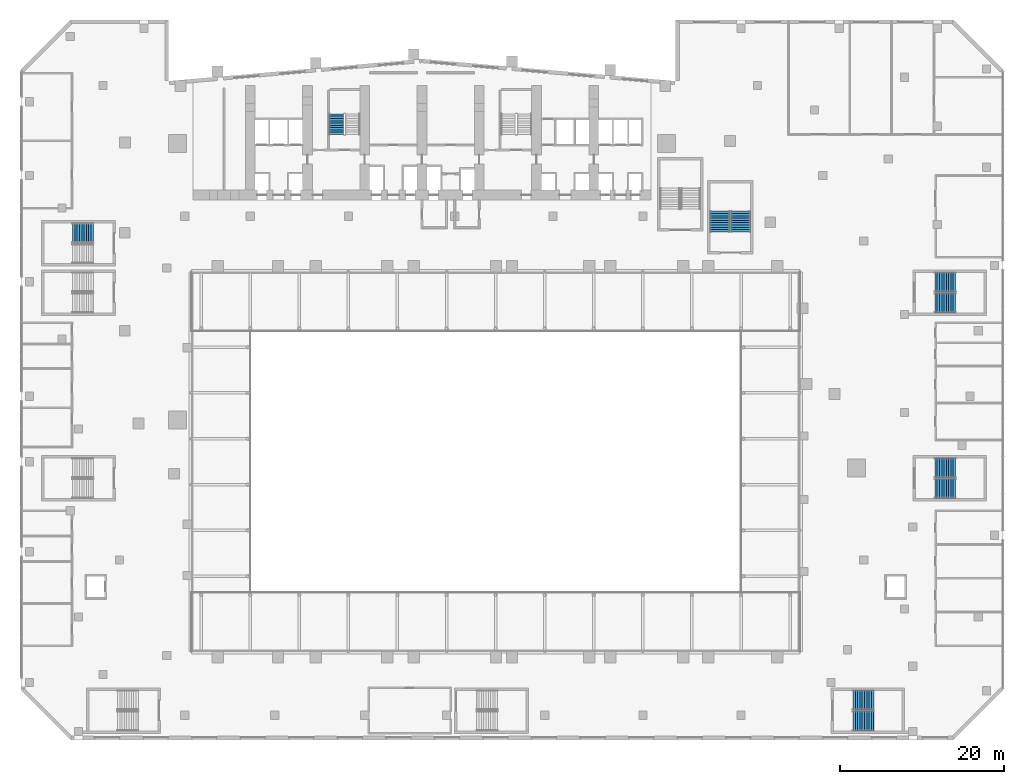
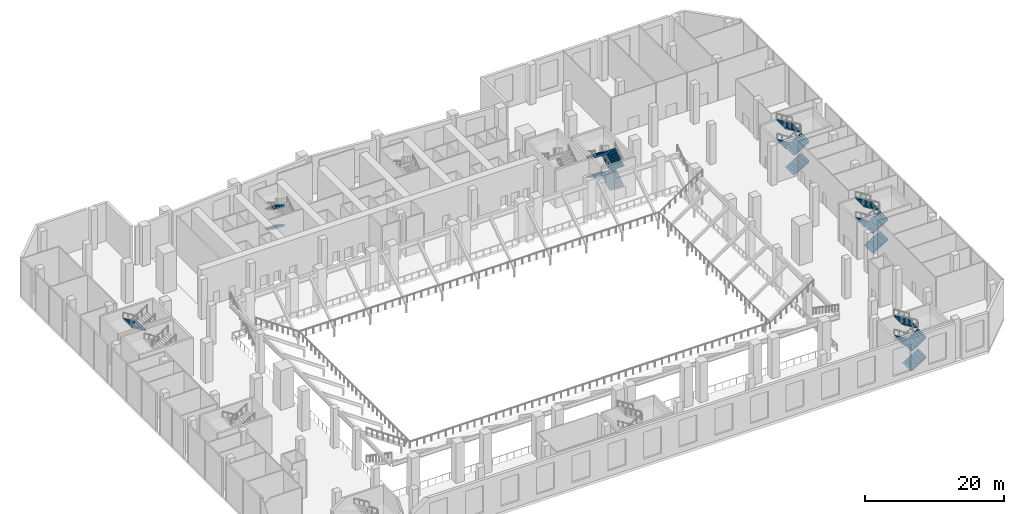
# One storey, part 29 of 41: 19 stair flights, 6 elements without a shape of their own.
"""IFC4 building model written with IfcOpenShell, lengths in metres."""

from ifc_helpers import new_model, si_unit, direction, frame, origin, place, context, subcontext, project, spatial, polyline, outline, extrude, material, type_object, element, aggregate, save


model = new_model("IFC4")

# Units and contexts
model_context = context("Model", 3, precision=1e-05, world=origin(), true_north=direction((0.0, 1.0)))
body_context = subcontext(model_context, "Body", "Model", "MODEL_VIEW")
ifc_project = project(units=[si_unit("LENGTHUNIT", "METRE"), si_unit("AREAUNIT", "SQUARE_METRE"), si_unit("VOLUMEUNIT", "CUBIC_METRE"), si_unit("PLANEANGLEUNIT", "RADIAN"), si_unit("MASSUNIT", "GRAM", prefix="KILO")], contexts=[model_context])

# Site, building, storey
site_placement = place(None, origin())
site = spatial("IfcSite", under=ifc_project, at=site_placement, CompositionType="ELEMENT")
building_placement = place(site_placement, origin())
building = spatial("IfcBuilding", under=site, at=building_placement, Name="Wharfspan Tower", CompositionType="ELEMENT")
storey_placement = place(building_placement, frame((0.0, 0.0, 8.0)))
storey = spatial("IfcBuildingStorey", under=building, at=storey_placement, Name="L01", CompositionType="ELEMENT", Elevation=8.0)

# Stair, stair flights
ifc_material = material(Name="Concrete C40/50", Category="concrete")
stair_type_1 = type_object("IfcStairType", Name="Half-turn stair 2400 wide 40 risers 175 mm", PredefinedType="HALF_TURN_STAIR", material=ifc_material)
stair_1_placement = place(storey_placement, origin())
stair_1 = element("IfcStair", 1, at=stair_1_placement, inside=storey, type_object=stair_type_1, Name="L01 stair AS2", PredefinedType="HALF_TURN_STAIR")
stair_flight_type_1 = type_object("IfcStairFlightType", Name="Stair flight 2400 wide 40 risers 175 mm", PredefinedType="STRAIGHT", material=ifc_material)
stair_flight_1_placement = place(storey_placement, frame((89.699951, -29.699951, 0.0), z_axis=(0.0, 0.0, 1.0), x_axis=(1.0, 0.0, 0.0)))
stair_flight_1 = element("IfcStairFlight", 2, at=stair_flight_1_placement, type_object=stair_flight_type_1, Name="AS2 flight 1", NumberOfRisers=10, NumberOfTreads=9, PredefinedType="STRAIGHT", RiserHeight=0.175, TreadLength=0.28, context=body_context, shape_type="SweptSolid", body=[
    extrude(outline(polyline([(-0.011963, 0.0), (-0.011963, 0.175049), (0.0, 0.175049), (0.280029, 0.175049), (0.280029, 0.350098), (0.560059, 0.350098), (0.560059, 0.524902), (0.840088, 0.524902), (0.840088, 0.699951), (1.120117, 0.699951), (1.120117, 0.875), (1.399902, 0.875), (1.399902, 1.050049), (1.679932, 1.050049), (1.679932, 1.225098), (1.959961, 1.225098), (1.959961, 1.399902), (2.23999, 1.399902), (2.23999, 1.574951), (2.52002, 1.574951), (2.531982, 1.75), (2.531982, 1.398193), (0.282715, 0.0), (-0.011963, 0.0)])), frame((0.0, 1.199951, 0.0), z_axis=(0.0, -1.0, 0.0), x_axis=(1.0, 0.0, 0.0)), (0.0, 0.0, 1.0), 1.199463),
    extrude(outline(polyline([(-0.011963, 0.0), (-0.011963, 0.175049), (0.0, 0.175049), (0.280029, 0.175049), (0.280029, 0.350098), (0.560059, 0.350098), (0.560059, 0.524902), (0.840088, 0.524902), (0.840088, 0.699951), (1.120117, 0.699951), (1.120117, 0.875), (1.399902, 0.875), (1.399902, 1.050049), (1.679932, 1.050049), (1.679932, 1.225098), (1.959961, 1.225098), (1.959961, 1.399902), (2.23999, 1.399902), (2.23999, 1.574951), (2.52002, 1.574951), (2.531982, 1.75), (2.531982, 1.398193), (0.282715, 0.0), (-0.011963, 0.0)])), frame((0.0, -0.000488, 0.0), z_axis=(0.0, -1.0, 0.0), x_axis=(1.0, 0.0, 0.0)), (0.0, 0.0, 1.0), 1.199463),
])
stair_flight_2_placement = place(storey_placement, frame((92.219971, -27.149902, 1.75), z_axis=(0.0, 0.0, 1.0), x_axis=(-1.0, 0.0, 0.0)))
stair_flight_2 = element("IfcStairFlight", 3, at=stair_flight_2_placement, type_object=stair_flight_type_1, Name="AS2 flight 2", NumberOfRisers=10, NumberOfTreads=9, PredefinedType="STRAIGHT", RiserHeight=0.175, TreadLength=0.28, context=body_context, shape_type="SweptSolid", body=[
    extrude(outline(polyline([(-0.011963, 0.0), (-0.011963, 0.175049), (0.0, 0.175049), (0.280029, 0.175049), (0.280029, 0.350098), (0.560059, 0.350098), (0.560059, 0.524902), (0.840088, 0.524902), (0.840088, 0.699951), (1.120117, 0.699951), (1.120117, 0.875), (1.399902, 0.875), (1.399902, 1.050049), (1.679932, 1.050049), (1.679932, 1.225098), (1.959961, 1.225098), (1.959961, 1.399902), (2.23999, 1.399902), (2.23999, 1.574951), (2.52002, 1.574951), (2.531982, 1.75), (2.531982, 1.398193), (0.282715, 0.0), (-0.011963, 0.0)])), frame((0.0, 1.199951, 0.0), z_axis=(0.0, -1.0, 0.0), x_axis=(1.0, 0.0, 0.0)), (0.0, 0.0, 1.0), 1.199463),
    extrude(outline(polyline([(-0.011963, 0.0), (-0.011963, 0.175049), (0.0, 0.175049), (0.280029, 0.175049), (0.280029, 0.350098), (0.560059, 0.350098), (0.560059, 0.524902), (0.840088, 0.524902), (0.840088, 0.699951), (1.120117, 0.699951), (1.120117, 0.875), (1.399902, 0.875), (1.399902, 1.050049), (1.679932, 1.050049), (1.679932, 1.225098), (1.959961, 1.225098), (1.959961, 1.399902), (2.23999, 1.399902), (2.23999, 1.574951), (2.52002, 1.574951), (2.531982, 1.75), (2.531982, 1.398193), (0.282715, 0.0), (-0.011963, 0.0)])), frame((0.0, -0.000488, 0.0), z_axis=(0.0, -1.0, 0.0), x_axis=(1.0, 0.0, 0.0)), (0.0, 0.0, 1.0), 1.199463),
])
stair_flight_3_placement = place(storey_placement, frame((89.699951, -29.699951, 3.5), z_axis=(0.0, 0.0, 1.0), x_axis=(1.0, 0.0, 0.0)))
stair_flight_3 = element("IfcStairFlight", 4, at=stair_flight_3_placement, type_object=stair_flight_type_1, Name="AS2 flight 3", NumberOfRisers=10, NumberOfTreads=9, PredefinedType="STRAIGHT", RiserHeight=0.175, TreadLength=0.28, context=body_context, shape_type="SweptSolid", body=[
    extrude(outline(polyline([(-0.011963, 0.0), (-0.011963, 0.175049), (0.0, 0.175049), (0.280029, 0.175049), (0.280029, 0.350098), (0.560059, 0.350098), (0.560059, 0.524902), (0.840088, 0.524902), (0.840088, 0.699951), (1.120117, 0.699951), (1.120117, 0.875), (1.399902, 0.875), (1.399902, 1.050049), (1.679932, 1.050049), (1.679932, 1.225098), (1.959961, 1.225098), (1.959961, 1.399902), (2.23999, 1.399902), (2.23999, 1.574951), (2.52002, 1.574951), (2.531982, 1.75), (2.531982, 1.398193), (0.282715, 0.0), (-0.011963, 0.0)])), frame((0.0, 1.199951, 0.0), z_axis=(0.0, -1.0, 0.0), x_axis=(1.0, 0.0, 0.0)), (0.0, 0.0, 1.0), 1.199463),
    extrude(outline(polyline([(-0.011963, 0.0), (-0.011963, 0.175049), (0.0, 0.175049), (0.280029, 0.175049), (0.280029, 0.350098), (0.560059, 0.350098), (0.560059, 0.524902), (0.840088, 0.524902), (0.840088, 0.699951), (1.120117, 0.699951), (1.120117, 0.875), (1.399902, 0.875), (1.399902, 1.050049), (1.679932, 1.050049), (1.679932, 1.225098), (1.959961, 1.225098), (1.959961, 1.399902), (2.23999, 1.399902), (2.23999, 1.574951), (2.52002, 1.574951), (2.531982, 1.75), (2.531982, 1.398193), (0.282715, 0.0), (-0.011963, 0.0)])), frame((0.0, -0.000488, 0.0), z_axis=(0.0, -1.0, 0.0), x_axis=(1.0, 0.0, 0.0)), (0.0, 0.0, 1.0), 1.199463),
])
stair_flight_4_placement = place(storey_placement, frame((92.219971, -27.149902, 5.25), z_axis=(0.0, 0.0, 1.0), x_axis=(-1.0, 0.0, 0.0)))
stair_flight_4 = element("IfcStairFlight", 5, at=stair_flight_4_placement, type_object=stair_flight_type_1, Name="AS2 flight 4", NumberOfRisers=10, NumberOfTreads=9, PredefinedType="STRAIGHT", RiserHeight=0.175, TreadLength=0.28, context=body_context, shape_type="SweptSolid", body=[
    extrude(outline(polyline([(-0.011963, 0.0), (-0.011963, 0.175049), (0.0, 0.175049), (0.280029, 0.175049), (0.280029, 0.350098), (0.560059, 0.350098), (0.560059, 0.524902), (0.840088, 0.524902), (0.840088, 0.699951), (1.120117, 0.699951), (1.120117, 0.875), (1.399902, 0.875), (1.399902, 1.050049), (1.679932, 1.050049), (1.679932, 1.225098), (1.959961, 1.225098), (1.959961, 1.399902), (2.23999, 1.399902), (2.23999, 1.574951), (2.52002, 1.574951), (2.531982, 1.75), (2.531982, 1.398193), (0.282715, 0.0), (-0.011963, 0.0)])), frame((0.0, 1.199951, 0.0), z_axis=(0.0, -1.0, 0.0), x_axis=(1.0, 0.0, 0.0)), (0.0, 0.0, 1.0), 1.199463),
    extrude(outline(polyline([(-0.011963, 0.0), (-0.011963, 0.175049), (0.0, 0.175049), (0.280029, 0.175049), (0.280029, 0.350098), (0.560059, 0.350098), (0.560059, 0.524902), (0.840088, 0.524902), (0.840088, 0.699951), (1.120117, 0.699951), (1.120117, 0.875), (1.399902, 0.875), (1.399902, 1.050049), (1.679932, 1.050049), (1.679932, 1.225098), (1.959961, 1.225098), (1.959961, 1.399902), (2.23999, 1.399902), (2.23999, 1.574951), (2.52002, 1.574951), (2.531982, 1.75), (2.531982, 1.398193), (0.282715, 0.0), (-0.011963, 0.0)])), frame((0.0, -0.000488, 0.0), z_axis=(0.0, -1.0, 0.0), x_axis=(1.0, 0.0, 0.0)), (0.0, 0.0, 1.0), 1.199463),
])
aggregate(stair_1, [stair_flight_1, stair_flight_2, stair_flight_3, stair_flight_4])

stair_2_placement = place(storey_placement, origin())
stair_2 = element("IfcStair", 6, at=stair_2_placement, inside=storey, type_object=stair_type_1, Name="L01 stair AS8", PredefinedType="HALF_TURN_STAIR")
stair_flight_5_placement = place(storey_placement, frame((99.699951, -1.300049, 0.0), z_axis=(0.0, 0.0, 1.0), x_axis=(1.0, 0.0, 0.0)))
stair_flight_5 = element("IfcStairFlight", 7, at=stair_flight_5_placement, type_object=stair_flight_type_1, Name="AS8 flight 1", NumberOfRisers=10, NumberOfTreads=9, PredefinedType="STRAIGHT", RiserHeight=0.175, TreadLength=0.28, context=body_context, shape_type="SweptSolid", body=[
    extrude(outline(polyline([(-0.011963, 0.0), (-0.011963, 0.175049), (0.0, 0.175049), (0.280029, 0.175049), (0.280029, 0.350098), (0.560059, 0.350098), (0.560059, 0.524902), (0.840088, 0.524902), (0.840088, 0.699951), (1.120117, 0.699951), (1.120117, 0.875), (1.399902, 0.875), (1.399902, 1.050049), (1.679932, 1.050049), (1.679932, 1.225098), (1.959961, 1.225098), (1.959961, 1.399902), (2.23999, 1.399902), (2.23999, 1.574951), (2.52002, 1.574951), (2.531982, 1.75), (2.531982, 1.398193), (0.282715, 0.0), (-0.011963, 0.0)])), frame((0.0, 1.199951, 0.0), z_axis=(0.0, -1.0, 0.0), x_axis=(1.0, 0.0, 0.0)), (0.0, 0.0, 1.0), 1.199463),
    extrude(outline(polyline([(-0.011963, 0.0), (-0.011963, 0.175049), (0.0, 0.175049), (0.280029, 0.175049), (0.280029, 0.350098), (0.560059, 0.350098), (0.560059, 0.524902), (0.840088, 0.524902), (0.840088, 0.699951), (1.120117, 0.699951), (1.120117, 0.875), (1.399902, 0.875), (1.399902, 1.050049), (1.679932, 1.050049), (1.679932, 1.225098), (1.959961, 1.225098), (1.959961, 1.399902), (2.23999, 1.399902), (2.23999, 1.574951), (2.52002, 1.574951), (2.531982, 1.75), (2.531982, 1.398193), (0.282715, 0.0), (-0.011963, 0.0)])), frame((0.0, -0.000488, 0.0), z_axis=(0.0, -1.0, 0.0), x_axis=(1.0, 0.0, 0.0)), (0.0, 0.0, 1.0), 1.199463),
])
stair_flight_6_placement = place(storey_placement, frame((102.219971, 1.25, 1.75), z_axis=(0.0, 0.0, 1.0), x_axis=(-1.0, 0.0, 0.0)))
stair_flight_6 = element("IfcStairFlight", 8, at=stair_flight_6_placement, type_object=stair_flight_type_1, Name="AS8 flight 2", NumberOfRisers=10, NumberOfTreads=9, PredefinedType="STRAIGHT", RiserHeight=0.175, TreadLength=0.28, context=body_context, shape_type="SweptSolid", body=[
    extrude(outline(polyline([(-0.011963, 0.0), (-0.011963, 0.175049), (0.0, 0.175049), (0.280029, 0.175049), (0.280029, 0.350098), (0.560059, 0.350098), (0.560059, 0.524902), (0.840088, 0.524902), (0.840088, 0.699951), (1.120117, 0.699951), (1.120117, 0.875), (1.399902, 0.875), (1.399902, 1.050049), (1.679932, 1.050049), (1.679932, 1.225098), (1.959961, 1.225098), (1.959961, 1.399902), (2.23999, 1.399902), (2.23999, 1.574951), (2.52002, 1.574951), (2.531982, 1.75), (2.531982, 1.398193), (0.282715, 0.0), (-0.011963, 0.0)])), frame((0.0, 1.199951, 0.0), z_axis=(0.0, -1.0, 0.0), x_axis=(1.0, 0.0, 0.0)), (0.0, 0.0, 1.0), 1.199463),
    extrude(outline(polyline([(-0.011963, 0.0), (-0.011963, 0.175049), (0.0, 0.175049), (0.280029, 0.175049), (0.280029, 0.350098), (0.560059, 0.350098), (0.560059, 0.524902), (0.840088, 0.524902), (0.840088, 0.699951), (1.120117, 0.699951), (1.120117, 0.875), (1.399902, 0.875), (1.399902, 1.050049), (1.679932, 1.050049), (1.679932, 1.225098), (1.959961, 1.225098), (1.959961, 1.399902), (2.23999, 1.399902), (2.23999, 1.574951), (2.52002, 1.574951), (2.531982, 1.75), (2.531982, 1.398193), (0.282715, 0.0), (-0.011963, 0.0)])), frame((0.0, -0.000488, 0.0), z_axis=(0.0, -1.0, 0.0), x_axis=(1.0, 0.0, 0.0)), (0.0, 0.0, 1.0), 1.199463),
])
stair_flight_7_placement = place(storey_placement, frame((99.699951, -1.300049, 3.5), z_axis=(0.0, 0.0, 1.0), x_axis=(1.0, 0.0, 0.0)))
stair_flight_7 = element("IfcStairFlight", 9, at=stair_flight_7_placement, type_object=stair_flight_type_1, Name="AS8 flight 3", NumberOfRisers=10, NumberOfTreads=9, PredefinedType="STRAIGHT", RiserHeight=0.175, TreadLength=0.28, context=body_context, shape_type="SweptSolid", body=[
    extrude(outline(polyline([(-0.011963, 0.0), (-0.011963, 0.175049), (0.0, 0.175049), (0.280029, 0.175049), (0.280029, 0.350098), (0.560059, 0.350098), (0.560059, 0.524902), (0.840088, 0.524902), (0.840088, 0.699951), (1.120117, 0.699951), (1.120117, 0.875), (1.399902, 0.875), (1.399902, 1.050049), (1.679932, 1.050049), (1.679932, 1.225098), (1.959961, 1.225098), (1.959961, 1.399902), (2.23999, 1.399902), (2.23999, 1.574951), (2.52002, 1.574951), (2.531982, 1.75), (2.531982, 1.398193), (0.282715, 0.0), (-0.011963, 0.0)])), frame((0.0, 1.199951, 0.0), z_axis=(0.0, -1.0, 0.0), x_axis=(1.0, 0.0, 0.0)), (0.0, 0.0, 1.0), 1.199463),
    extrude(outline(polyline([(-0.011963, 0.0), (-0.011963, 0.175049), (0.0, 0.175049), (0.280029, 0.175049), (0.280029, 0.350098), (0.560059, 0.350098), (0.560059, 0.524902), (0.840088, 0.524902), (0.840088, 0.699951), (1.120117, 0.699951), (1.120117, 0.875), (1.399902, 0.875), (1.399902, 1.050049), (1.679932, 1.050049), (1.679932, 1.225098), (1.959961, 1.225098), (1.959961, 1.399902), (2.23999, 1.399902), (2.23999, 1.574951), (2.52002, 1.574951), (2.531982, 1.75), (2.531982, 1.398193), (0.282715, 0.0), (-0.011963, 0.0)])), frame((0.0, -0.000488, 0.0), z_axis=(0.0, -1.0, 0.0), x_axis=(1.0, 0.0, 0.0)), (0.0, 0.0, 1.0), 1.199463),
])
stair_flight_8_placement = place(storey_placement, frame((102.219971, 1.25, 5.25), z_axis=(0.0, 0.0, 1.0), x_axis=(-1.0, 0.0, 0.0)))
stair_flight_8 = element("IfcStairFlight", 10, at=stair_flight_8_placement, type_object=stair_flight_type_1, Name="AS8 flight 4", NumberOfRisers=10, NumberOfTreads=9, PredefinedType="STRAIGHT", RiserHeight=0.175, TreadLength=0.28, context=body_context, shape_type="SweptSolid", body=[
    extrude(outline(polyline([(-0.011963, 0.0), (-0.011963, 0.175049), (0.0, 0.175049), (0.280029, 0.175049), (0.280029, 0.350098), (0.560059, 0.350098), (0.560059, 0.524902), (0.840088, 0.524902), (0.840088, 0.699951), (1.120117, 0.699951), (1.120117, 0.875), (1.399902, 0.875), (1.399902, 1.050049), (1.679932, 1.050049), (1.679932, 1.225098), (1.959961, 1.225098), (1.959961, 1.399902), (2.23999, 1.399902), (2.23999, 1.574951), (2.52002, 1.574951), (2.531982, 1.75), (2.531982, 1.398193), (0.282715, 0.0), (-0.011963, 0.0)])), frame((0.0, 1.199951, 0.0), z_axis=(0.0, -1.0, 0.0), x_axis=(1.0, 0.0, 0.0)), (0.0, 0.0, 1.0), 1.199463),
    extrude(outline(polyline([(-0.011963, 0.0), (-0.011963, 0.175049), (0.0, 0.175049), (0.280029, 0.175049), (0.280029, 0.350098), (0.560059, 0.350098), (0.560059, 0.524902), (0.840088, 0.524902), (0.840088, 0.699951), (1.120117, 0.699951), (1.120117, 0.875), (1.399902, 0.875), (1.399902, 1.050049), (1.679932, 1.050049), (1.679932, 1.225098), (1.959961, 1.225098), (1.959961, 1.399902), (2.23999, 1.399902), (2.23999, 1.574951), (2.52002, 1.574951), (2.531982, 1.75), (2.531982, 1.398193), (0.282715, 0.0), (-0.011963, 0.0)])), frame((0.0, -0.000488, 0.0), z_axis=(0.0, -1.0, 0.0), x_axis=(1.0, 0.0, 0.0)), (0.0, 0.0, 1.0), 1.199463),
])
aggregate(stair_2, [stair_flight_5, stair_flight_6, stair_flight_7, stair_flight_8])

stair_3_placement = place(storey_placement, origin())
stair_3 = element("IfcStair", 11, at=stair_3_placement, inside=storey, type_object=stair_type_1, Name="L01 stair AS4", PredefinedType="HALF_TURN_STAIR")
stair_flight_9_placement = place(storey_placement, frame((99.699951, 21.399902, 0.0), z_axis=(0.0, 0.0, 1.0), x_axis=(1.0, 0.0, 0.0)))
stair_flight_9 = element("IfcStairFlight", 12, at=stair_flight_9_placement, type_object=stair_flight_type_1, Name="AS4 flight 1", NumberOfRisers=10, NumberOfTreads=9, PredefinedType="STRAIGHT", RiserHeight=0.175, TreadLength=0.28, context=body_context, shape_type="SweptSolid", body=[
    extrude(outline(polyline([(-0.011963, 0.0), (-0.011963, 0.175049), (0.0, 0.175049), (0.280029, 0.175049), (0.280029, 0.350098), (0.560059, 0.350098), (0.560059, 0.524902), (0.840088, 0.524902), (0.840088, 0.699951), (1.120117, 0.699951), (1.120117, 0.875), (1.399902, 0.875), (1.399902, 1.050049), (1.679932, 1.050049), (1.679932, 1.225098), (1.959961, 1.225098), (1.959961, 1.399902), (2.23999, 1.399902), (2.23999, 1.574951), (2.52002, 1.574951), (2.531982, 1.75), (2.531982, 1.398193), (0.282715, 0.0), (-0.011963, 0.0)])), frame((0.0, 1.199951, 0.0), z_axis=(0.0, -1.0, 0.0), x_axis=(1.0, 0.0, 0.0)), (0.0, 0.0, 1.0), 1.199463),
    extrude(outline(polyline([(-0.011963, 0.0), (-0.011963, 0.175049), (0.0, 0.175049), (0.280029, 0.175049), (0.280029, 0.350098), (0.560059, 0.350098), (0.560059, 0.524902), (0.840088, 0.524902), (0.840088, 0.699951), (1.120117, 0.699951), (1.120117, 0.875), (1.399902, 0.875), (1.399902, 1.050049), (1.679932, 1.050049), (1.679932, 1.225098), (1.959961, 1.225098), (1.959961, 1.399902), (2.23999, 1.399902), (2.23999, 1.574951), (2.52002, 1.574951), (2.531982, 1.75), (2.531982, 1.398193), (0.282715, 0.0), (-0.011963, 0.0)])), frame((0.0, -0.000488, 0.0), z_axis=(0.0, -1.0, 0.0), x_axis=(1.0, 0.0, 0.0)), (0.0, 0.0, 1.0), 1.199463),
])
stair_flight_10_placement = place(storey_placement, frame((102.219971, 23.949951, 1.75), z_axis=(0.0, 0.0, 1.0), x_axis=(-1.0, 0.0, 0.0)))
stair_flight_10 = element("IfcStairFlight", 13, at=stair_flight_10_placement, type_object=stair_flight_type_1, Name="AS4 flight 2", NumberOfRisers=10, NumberOfTreads=9, PredefinedType="STRAIGHT", RiserHeight=0.175, TreadLength=0.28, context=body_context, shape_type="SweptSolid", body=[
    extrude(outline(polyline([(-0.011963, 0.0), (-0.011963, 0.175049), (0.0, 0.175049), (0.280029, 0.175049), (0.280029, 0.350098), (0.560059, 0.350098), (0.560059, 0.524902), (0.840088, 0.524902), (0.840088, 0.699951), (1.120117, 0.699951), (1.120117, 0.875), (1.399902, 0.875), (1.399902, 1.050049), (1.679932, 1.050049), (1.679932, 1.225098), (1.959961, 1.225098), (1.959961, 1.399902), (2.23999, 1.399902), (2.23999, 1.574951), (2.52002, 1.574951), (2.531982, 1.75), (2.531982, 1.398193), (0.282715, 0.0), (-0.011963, 0.0)])), frame((0.0, 1.199951, 0.0), z_axis=(0.0, -1.0, 0.0), x_axis=(1.0, 0.0, 0.0)), (0.0, 0.0, 1.0), 1.199463),
    extrude(outline(polyline([(-0.011963, 0.0), (-0.011963, 0.175049), (0.0, 0.175049), (0.280029, 0.175049), (0.280029, 0.350098), (0.560059, 0.350098), (0.560059, 0.524902), (0.840088, 0.524902), (0.840088, 0.699951), (1.120117, 0.699951), (1.120117, 0.875), (1.399902, 0.875), (1.399902, 1.050049), (1.679932, 1.050049), (1.679932, 1.225098), (1.959961, 1.225098), (1.959961, 1.399902), (2.23999, 1.399902), (2.23999, 1.574951), (2.52002, 1.574951), (2.531982, 1.75), (2.531982, 1.398193), (0.282715, 0.0), (-0.011963, 0.0)])), frame((0.0, -0.000488, 0.0), z_axis=(0.0, -1.0, 0.0), x_axis=(1.0, 0.0, 0.0)), (0.0, 0.0, 1.0), 1.199463),
])
stair_flight_11_placement = place(storey_placement, frame((99.699951, 21.399902, 3.5), z_axis=(0.0, 0.0, 1.0), x_axis=(1.0, 0.0, 0.0)))
stair_flight_11 = element("IfcStairFlight", 14, at=stair_flight_11_placement, type_object=stair_flight_type_1, Name="AS4 flight 3", NumberOfRisers=10, NumberOfTreads=9, PredefinedType="STRAIGHT", RiserHeight=0.175, TreadLength=0.28, context=body_context, shape_type="SweptSolid", body=[
    extrude(outline(polyline([(-0.011963, 0.0), (-0.011963, 0.175049), (0.0, 0.175049), (0.280029, 0.175049), (0.280029, 0.350098), (0.560059, 0.350098), (0.560059, 0.524902), (0.840088, 0.524902), (0.840088, 0.699951), (1.120117, 0.699951), (1.120117, 0.875), (1.399902, 0.875), (1.399902, 1.050049), (1.679932, 1.050049), (1.679932, 1.225098), (1.959961, 1.225098), (1.959961, 1.399902), (2.23999, 1.399902), (2.23999, 1.574951), (2.52002, 1.574951), (2.531982, 1.75), (2.531982, 1.398193), (0.282715, 0.0), (-0.011963, 0.0)])), frame((0.0, 1.199951, 0.0), z_axis=(0.0, -1.0, 0.0), x_axis=(1.0, 0.0, 0.0)), (0.0, 0.0, 1.0), 1.199463),
    extrude(outline(polyline([(-0.011963, 0.0), (-0.011963, 0.175049), (0.0, 0.175049), (0.280029, 0.175049), (0.280029, 0.350098), (0.560059, 0.350098), (0.560059, 0.524902), (0.840088, 0.524902), (0.840088, 0.699951), (1.120117, 0.699951), (1.120117, 0.875), (1.399902, 0.875), (1.399902, 1.050049), (1.679932, 1.050049), (1.679932, 1.225098), (1.959961, 1.225098), (1.959961, 1.399902), (2.23999, 1.399902), (2.23999, 1.574951), (2.52002, 1.574951), (2.531982, 1.75), (2.531982, 1.398193), (0.282715, 0.0), (-0.011963, 0.0)])), frame((0.0, -0.000488, 0.0), z_axis=(0.0, -1.0, 0.0), x_axis=(1.0, 0.0, 0.0)), (0.0, 0.0, 1.0), 1.199463),
])
stair_flight_12_placement = place(storey_placement, frame((102.219971, 23.949951, 5.25), z_axis=(0.0, 0.0, 1.0), x_axis=(-1.0, 0.0, 0.0)))
stair_flight_12 = element("IfcStairFlight", 15, at=stair_flight_12_placement, type_object=stair_flight_type_1, Name="AS4 flight 4", NumberOfRisers=10, NumberOfTreads=9, PredefinedType="STRAIGHT", RiserHeight=0.175, TreadLength=0.28, context=body_context, shape_type="SweptSolid", body=[
    extrude(outline(polyline([(-0.011963, 0.0), (-0.011963, 0.175049), (0.0, 0.175049), (0.280029, 0.175049), (0.280029, 0.350098), (0.560059, 0.350098), (0.560059, 0.524902), (0.840088, 0.524902), (0.840088, 0.699951), (1.120117, 0.699951), (1.120117, 0.875), (1.399902, 0.875), (1.399902, 1.050049), (1.679932, 1.050049), (1.679932, 1.225098), (1.959961, 1.225098), (1.959961, 1.399902), (2.23999, 1.399902), (2.23999, 1.574951), (2.52002, 1.574951), (2.531982, 1.75), (2.531982, 1.398193), (0.282715, 0.0), (-0.011963, 0.0)])), frame((0.0, 1.199951, 0.0), z_axis=(0.0, -1.0, 0.0), x_axis=(1.0, 0.0, 0.0)), (0.0, 0.0, 1.0), 1.199463),
    extrude(outline(polyline([(-0.011963, 0.0), (-0.011963, 0.175049), (0.0, 0.175049), (0.280029, 0.175049), (0.280029, 0.350098), (0.560059, 0.350098), (0.560059, 0.524902), (0.840088, 0.524902), (0.840088, 0.699951), (1.120117, 0.699951), (1.120117, 0.875), (1.399902, 0.875), (1.399902, 1.050049), (1.679932, 1.050049), (1.679932, 1.225098), (1.959961, 1.225098), (1.959961, 1.399902), (2.23999, 1.399902), (2.23999, 1.574951), (2.52002, 1.574951), (2.531982, 1.75), (2.531982, 1.398193), (0.282715, 0.0), (-0.011963, 0.0)])), frame((0.0, -0.000488, 0.0), z_axis=(0.0, -1.0, 0.0), x_axis=(1.0, 0.0, 0.0)), (0.0, 0.0, 1.0), 1.199463),
])
aggregate(stair_3, [stair_flight_9, stair_flight_10, stair_flight_11, stair_flight_12])

# Stair, stair flight
stair_4_placement = place(storey_placement, origin())
stair_4 = element("IfcStair", 16, at=stair_4_placement, inside=storey, type_object=stair_type_1, Name="L01 stair PS3", PredefinedType="HALF_TURN_STAIR")
stair_flight_13_placement = place(storey_placement, frame((-3.199951, 29.975098, 3.5), z_axis=(0.0, 0.0, 1.0), x_axis=(-1.0, 0.0, 0.0)))
stair_flight_13 = element("IfcStairFlight", 17, at=stair_flight_13_placement, type_object=stair_flight_type_1, Name="PS3 flight 3", NumberOfRisers=10, NumberOfTreads=9, PredefinedType="STRAIGHT", RiserHeight=0.175, TreadLength=0.28, context=body_context, shape_type="SweptSolid", body=[
    extrude(outline(polyline([(-0.011963, 0.0), (-0.011963, 0.175049), (0.0, 0.175049), (0.280029, 0.175049), (0.280029, 0.350098), (0.560059, 0.350098), (0.560059, 0.524902), (0.840088, 0.524902), (0.840088, 0.699951), (1.120117, 0.699951), (1.120117, 0.875), (1.399902, 0.875), (1.399902, 1.050049), (1.679932, 1.050049), (1.679932, 1.225098), (1.959961, 1.225098), (1.959961, 1.399902), (2.23999, 1.399902), (2.23999, 1.574951), (2.52002, 1.574951), (2.531982, 1.75), (2.531982, 1.398193), (0.282715, 0.0), (-0.011963, 0.0)])), frame((0.0, 1.199951, 0.0), z_axis=(0.0, -1.0, 0.0), x_axis=(1.0, 0.0, 0.0)), (0.0, 0.0, 1.0), 1.199463),
    extrude(outline(polyline([(-0.011963, 0.0), (-0.011963, 0.175049), (0.0, 0.175049), (0.280029, 0.175049), (0.280029, 0.350098), (0.560059, 0.350098), (0.560059, 0.524902), (0.840088, 0.524902), (0.840088, 0.699951), (1.120117, 0.699951), (1.120117, 0.875), (1.399902, 0.875), (1.399902, 1.050049), (1.679932, 1.050049), (1.679932, 1.225098), (1.959961, 1.225098), (1.959961, 1.399902), (2.23999, 1.399902), (2.23999, 1.574951), (2.52002, 1.574951), (2.531982, 1.75), (2.531982, 1.398193), (0.282715, 0.0), (-0.011963, 0.0)])), frame((0.0, -0.000488, 0.0), z_axis=(0.0, -1.0, 0.0), x_axis=(1.0, 0.0, 0.0)), (0.0, 0.0, 1.0), 1.199463),
])
aggregate(stair_4, [stair_flight_13])

# Stair, stair flights
stair_5_placement = place(storey_placement, origin())
stair_5 = element("IfcStair", 18, at=stair_5_placement, inside=storey, type_object=stair_type_1, Name="L01 stair PS5", PredefinedType="HALF_TURN_STAIR")
stair_flight_14_placement = place(storey_placement, frame((75.967529, 30.100098, 0.0), z_axis=(0.0, 0.0, 1.0), x_axis=(0.0, 1.0, 0.0)))
stair_flight_14 = element("IfcStairFlight", 19, at=stair_flight_14_placement, type_object=stair_flight_type_1, Name="PS5 flight 1", NumberOfRisers=10, NumberOfTreads=9, PredefinedType="STRAIGHT", RiserHeight=0.175, TreadLength=0.28, context=body_context, shape_type="SweptSolid", body=[
    extrude(outline(polyline([(-0.011963, 0.0), (-0.011963, 0.175049), (0.0, 0.175049), (0.280029, 0.175049), (0.280029, 0.350098), (0.560059, 0.350098), (0.560059, 0.524902), (0.840088, 0.524902), (0.840088, 0.699951), (1.120117, 0.699951), (1.120117, 0.875), (1.399902, 0.875), (1.399902, 1.050049), (1.679932, 1.050049), (1.679932, 1.225098), (1.959961, 1.225098), (1.959961, 1.399902), (2.23999, 1.399902), (2.23999, 1.574951), (2.52002, 1.574951), (2.531982, 1.75), (2.531982, 1.398193), (0.282715, 0.0), (-0.011963, 0.0)])), frame((0.0, 1.199951, 0.0), z_axis=(0.0, -1.0, 0.0), x_axis=(1.0, 0.0, 0.0)), (0.0, 0.0, 1.0), 1.199463),
    extrude(outline(polyline([(-0.011963, 0.0), (-0.011963, 0.175049), (0.0, 0.175049), (0.280029, 0.175049), (0.280029, 0.350098), (0.560059, 0.350098), (0.560059, 0.524902), (0.840088, 0.524902), (0.840088, 0.699951), (1.120117, 0.699951), (1.120117, 0.875), (1.399902, 0.875), (1.399902, 1.050049), (1.679932, 1.050049), (1.679932, 1.225098), (1.959961, 1.225098), (1.959961, 1.399902), (2.23999, 1.399902), (2.23999, 1.574951), (2.52002, 1.574951), (2.531982, 1.75), (2.531982, 1.398193), (0.282715, 0.0), (-0.011963, 0.0)])), frame((0.0, -0.000488, 0.0), z_axis=(0.0, -1.0, 0.0), x_axis=(1.0, 0.0, 0.0)), (0.0, 0.0, 1.0), 1.199463),
])
stair_flight_15_placement = place(storey_placement, frame((73.41748, 32.620117, 1.75), z_axis=(0.0, 0.0, 1.0), x_axis=(0.0, -1.0, 0.0)))
stair_flight_15 = element("IfcStairFlight", 20, at=stair_flight_15_placement, type_object=stair_flight_type_1, Name="PS5 flight 2", NumberOfRisers=10, NumberOfTreads=9, PredefinedType="STRAIGHT", RiserHeight=0.175, TreadLength=0.28, context=body_context, shape_type="SweptSolid", body=[
    extrude(outline(polyline([(-0.011963, 0.0), (-0.011963, 0.175049), (0.0, 0.175049), (0.280029, 0.175049), (0.280029, 0.350098), (0.560059, 0.350098), (0.560059, 0.524902), (0.840088, 0.524902), (0.840088, 0.699951), (1.120117, 0.699951), (1.120117, 0.875), (1.399902, 0.875), (1.399902, 1.050049), (1.679932, 1.050049), (1.679932, 1.225098), (1.959961, 1.225098), (1.959961, 1.399902), (2.23999, 1.399902), (2.23999, 1.574951), (2.52002, 1.574951), (2.531982, 1.75), (2.531982, 1.398193), (0.282715, 0.0), (-0.011963, 0.0)])), frame((0.0, 1.199951, 0.0), z_axis=(0.0, -1.0, 0.0), x_axis=(1.0, 0.0, 0.0)), (0.0, 0.0, 1.0), 1.199463),
    extrude(outline(polyline([(-0.011963, 0.0), (-0.011963, 0.175049), (0.0, 0.175049), (0.280029, 0.175049), (0.280029, 0.350098), (0.560059, 0.350098), (0.560059, 0.524902), (0.840088, 0.524902), (0.840088, 0.699951), (1.120117, 0.699951), (1.120117, 0.875), (1.399902, 0.875), (1.399902, 1.050049), (1.679932, 1.050049), (1.679932, 1.225098), (1.959961, 1.225098), (1.959961, 1.399902), (2.23999, 1.399902), (2.23999, 1.574951), (2.52002, 1.574951), (2.531982, 1.75), (2.531982, 1.398193), (0.282715, 0.0), (-0.011963, 0.0)])), frame((0.0, -0.000488, 0.0), z_axis=(0.0, -1.0, 0.0), x_axis=(1.0, 0.0, 0.0)), (0.0, 0.0, 1.0), 1.199463),
])
stair_flight_16_placement = place(storey_placement, frame((75.967529, 30.100098, 3.5), z_axis=(0.0, 0.0, 1.0), x_axis=(0.0, 1.0, 0.0)))
stair_flight_16 = element("IfcStairFlight", 21, at=stair_flight_16_placement, type_object=stair_flight_type_1, Name="PS5 flight 3", NumberOfRisers=10, NumberOfTreads=9, PredefinedType="STRAIGHT", RiserHeight=0.175, TreadLength=0.28, context=body_context, shape_type="SweptSolid", body=[
    extrude(outline(polyline([(-0.011963, 0.0), (-0.011963, 0.175049), (0.0, 0.175049), (0.280029, 0.175049), (0.280029, 0.350098), (0.560059, 0.350098), (0.560059, 0.524902), (0.840088, 0.524902), (0.840088, 0.699951), (1.120117, 0.699951), (1.120117, 0.875), (1.399902, 0.875), (1.399902, 1.050049), (1.679932, 1.050049), (1.679932, 1.225098), (1.959961, 1.225098), (1.959961, 1.399902), (2.23999, 1.399902), (2.23999, 1.574951), (2.52002, 1.574951), (2.531982, 1.75), (2.531982, 1.398193), (0.282715, 0.0), (-0.011963, 0.0)])), frame((0.0, 1.199951, 0.0), z_axis=(0.0, -1.0, 0.0), x_axis=(1.0, 0.0, 0.0)), (0.0, 0.0, 1.0), 1.199463),
    extrude(outline(polyline([(-0.011963, 0.0), (-0.011963, 0.175049), (0.0, 0.175049), (0.280029, 0.175049), (0.280029, 0.350098), (0.560059, 0.350098), (0.560059, 0.524902), (0.840088, 0.524902), (0.840088, 0.699951), (1.120117, 0.699951), (1.120117, 0.875), (1.399902, 0.875), (1.399902, 1.050049), (1.679932, 1.050049), (1.679932, 1.225098), (1.959961, 1.225098), (1.959961, 1.399902), (2.23999, 1.399902), (2.23999, 1.574951), (2.52002, 1.574951), (2.531982, 1.75), (2.531982, 1.398193), (0.282715, 0.0), (-0.011963, 0.0)])), frame((0.0, -0.000488, 0.0), z_axis=(0.0, -1.0, 0.0), x_axis=(1.0, 0.0, 0.0)), (0.0, 0.0, 1.0), 1.199463),
])
stair_flight_17_placement = place(storey_placement, frame((73.41748, 32.620117, 5.25), z_axis=(0.0, 0.0, 1.0), x_axis=(0.0, -1.0, 0.0)))
stair_flight_17 = element("IfcStairFlight", 22, at=stair_flight_17_placement, type_object=stair_flight_type_1, Name="PS5 flight 4", NumberOfRisers=10, NumberOfTreads=9, PredefinedType="STRAIGHT", RiserHeight=0.175, TreadLength=0.28, context=body_context, shape_type="SweptSolid", body=[
    extrude(outline(polyline([(-0.011963, 0.0), (-0.011963, 0.175049), (0.0, 0.175049), (0.280029, 0.175049), (0.280029, 0.350098), (0.560059, 0.350098), (0.560059, 0.524902), (0.840088, 0.524902), (0.840088, 0.699951), (1.120117, 0.699951), (1.120117, 0.875), (1.399902, 0.875), (1.399902, 1.050049), (1.679932, 1.050049), (1.679932, 1.225098), (1.959961, 1.225098), (1.959961, 1.399902), (2.23999, 1.399902), (2.23999, 1.574951), (2.52002, 1.574951), (2.531982, 1.75), (2.531982, 1.398193), (0.282715, 0.0), (-0.011963, 0.0)])), frame((0.0, 1.199951, 0.0), z_axis=(0.0, -1.0, 0.0), x_axis=(1.0, 0.0, 0.0)), (0.0, 0.0, 1.0), 1.199463),
    extrude(outline(polyline([(-0.011963, 0.0), (-0.011963, 0.175049), (0.0, 0.175049), (0.280029, 0.175049), (0.280029, 0.350098), (0.560059, 0.350098), (0.560059, 0.524902), (0.840088, 0.524902), (0.840088, 0.699951), (1.120117, 0.699951), (1.120117, 0.875), (1.399902, 0.875), (1.399902, 1.050049), (1.679932, 1.050049), (1.679932, 1.225098), (1.959961, 1.225098), (1.959961, 1.399902), (2.23999, 1.399902), (2.23999, 1.574951), (2.52002, 1.574951), (2.531982, 1.75), (2.531982, 1.398193), (0.282715, 0.0), (-0.011963, 0.0)])), frame((0.0, -0.000488, 0.0), z_axis=(0.0, -1.0, 0.0), x_axis=(1.0, 0.0, 0.0)), (0.0, 0.0, 1.0), 1.199463),
])
aggregate(stair_5, [stair_flight_14, stair_flight_15, stair_flight_16, stair_flight_17])

stair_type_2 = type_object("IfcStairType", Name="Half-turn stair 40 risers 175 mm", PredefinedType="HALF_TURN_STAIR", material=ifc_material)
stair_6_placement = place(storey_placement, origin())
stair_6 = element("IfcStair", 23, at=stair_6_placement, inside=storey, type_object=stair_type_2, Name="L01 stair ST1", PredefinedType="HALF_TURN_STAIR")
stair_flight_type_2 = type_object("IfcStairFlightType", Name="Stair flight 40 risers 175 mm", PredefinedType="STRAIGHT", material=ifc_material)
stair_flight_18_placement = place(storey_placement, frame((26.550049, 44.52002, 1.75), z_axis=(0.0, 0.0, 1.0), x_axis=(0.0, -1.0, 0.0)))
stair_flight_18 = element("IfcStairFlight", 24, at=stair_flight_18_placement, type_object=stair_flight_type_2, Name="ST1 flight 2", NumberOfRisers=10, NumberOfTreads=9, PredefinedType="STRAIGHT", RiserHeight=0.175, TreadLength=0.28, context=body_context, shape_type="SweptSolid", body=[
    extrude(outline(polyline([(-0.011963, 0.0), (-0.011963, 0.175049), (0.0, 0.175049), (0.280029, 0.175049), (0.280029, 0.350098), (0.560059, 0.350098), (0.560059, 0.524902), (0.840088, 0.524902), (0.840088, 0.699951), (1.120117, 0.699951), (1.120117, 0.875), (1.399902, 0.875), (1.399902, 1.050049), (1.679932, 1.050049), (1.679932, 1.225098), (1.959961, 1.225098), (1.959961, 1.399902), (2.23999, 1.399902), (2.23999, 1.574951), (2.52002, 1.574951), (2.531982, 1.75), (2.531982, 1.398193), (0.282715, 0.0), (-0.011963, 0.0)])), frame((0.0, 0.899902, 0.0), z_axis=(0.0, -1.0, 0.0), x_axis=(1.0, 0.0, 0.0)), (0.0, 0.0, 1.0), 0.899414),
    extrude(outline(polyline([(-0.011963, 0.0), (-0.011963, 0.175049), (0.0, 0.175049), (0.280029, 0.175049), (0.280029, 0.350098), (0.560059, 0.350098), (0.560059, 0.524902), (0.840088, 0.524902), (0.840088, 0.699951), (1.120117, 0.699951), (1.120117, 0.875), (1.399902, 0.875), (1.399902, 1.050049), (1.679932, 1.050049), (1.679932, 1.225098), (1.959961, 1.225098), (1.959961, 1.399902), (2.23999, 1.399902), (2.23999, 1.574951), (2.52002, 1.574951), (2.531982, 1.75), (2.531982, 1.398193), (0.282715, 0.0), (-0.011963, 0.0)])), frame((0.0, -0.000488, 0.0), z_axis=(0.0, -1.0, 0.0), x_axis=(1.0, 0.0, 0.0)), (0.0, 0.0, 1.0), 0.899414),
])
stair_flight_19_placement = place(storey_placement, frame((26.550049, 44.52002, 5.25), z_axis=(0.0, 0.0, 1.0), x_axis=(0.0, -1.0, 0.0)))
stair_flight_19 = element("IfcStairFlight", 25, at=stair_flight_19_placement, type_object=stair_flight_type_2, Name="ST1 flight 4", NumberOfRisers=10, NumberOfTreads=9, PredefinedType="STRAIGHT", RiserHeight=0.175, TreadLength=0.28, context=body_context, shape_type="SweptSolid", body=[
    extrude(outline(polyline([(-0.011963, 0.0), (-0.011963, 0.175049), (0.0, 0.175049), (0.280029, 0.175049), (0.280029, 0.350098), (0.560059, 0.350098), (0.560059, 0.524902), (0.840088, 0.524902), (0.840088, 0.699951), (1.120117, 0.699951), (1.120117, 0.875), (1.399902, 0.875), (1.399902, 1.050049), (1.679932, 1.050049), (1.679932, 1.225098), (1.959961, 1.225098), (1.959961, 1.399902), (2.23999, 1.399902), (2.23999, 1.574951), (2.52002, 1.574951), (2.531982, 1.75), (2.531982, 1.398193), (0.282715, 0.0), (-0.011963, 0.0)])), frame((0.0, 0.899902, 0.0), z_axis=(0.0, -1.0, 0.0), x_axis=(1.0, 0.0, 0.0)), (0.0, 0.0, 1.0), 0.899414),
    extrude(outline(polyline([(-0.011963, 0.0), (-0.011963, 0.175049), (0.0, 0.175049), (0.280029, 0.175049), (0.280029, 0.350098), (0.560059, 0.350098), (0.560059, 0.524902), (0.840088, 0.524902), (0.840088, 0.699951), (1.120117, 0.699951), (1.120117, 0.875), (1.399902, 0.875), (1.399902, 1.050049), (1.679932, 1.050049), (1.679932, 1.225098), (1.959961, 1.225098), (1.959961, 1.399902), (2.23999, 1.399902), (2.23999, 1.574951), (2.52002, 1.574951), (2.531982, 1.75), (2.531982, 1.398193), (0.282715, 0.0), (-0.011963, 0.0)])), frame((0.0, -0.000488, 0.0), z_axis=(0.0, -1.0, 0.0), x_axis=(1.0, 0.0, 0.0)), (0.0, 0.0, 1.0), 0.899414),
])
aggregate(stair_6, [stair_flight_18, stair_flight_19])

save(model, "model.ifc")
